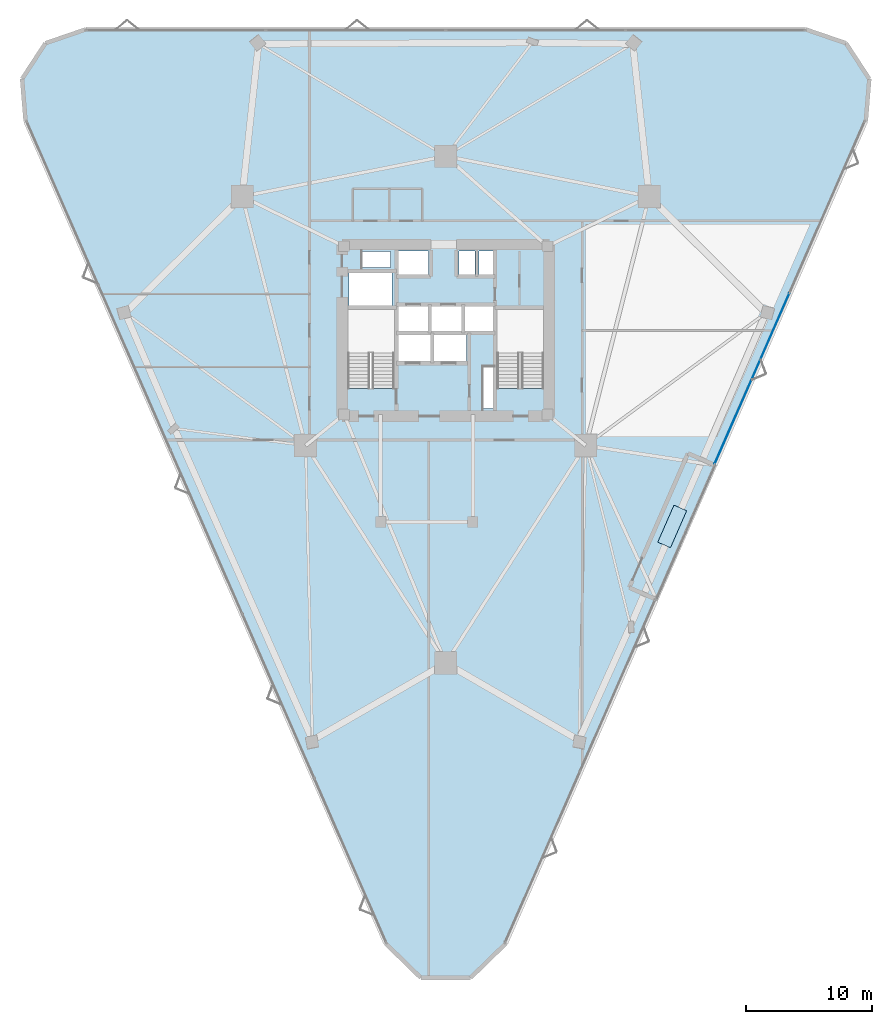
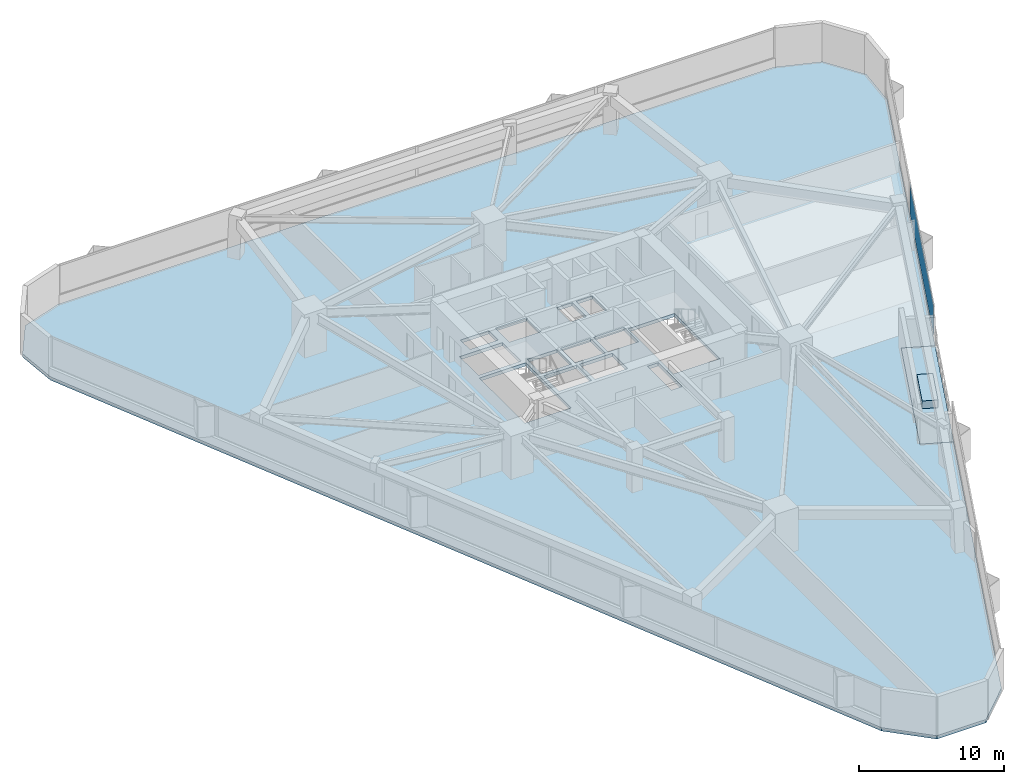
# One storey, part 10 of 16: 2 plates, 2 slabs, 1 element without a shape of its own.
"""IFC4 building model written with IfcOpenShell, lengths in metres."""

from ifc_helpers import new_model, si_unit, direction, frame, origin, origin_2d, place, context, subcontext, project, spatial, polyline, rectangle, outline, extrude, material, layer, layer_set, type_object, element, aggregate, save


model = new_model("IFC4")

# Units and contexts
model_context = context("Model", 3, precision=1e-05, world=origin(), true_north=direction((0.0, 1.0)))
body_context = subcontext(model_context, "Body", "Model", "MODEL_VIEW")
ifc_project = project(units=[si_unit("LENGTHUNIT", "METRE"), si_unit("AREAUNIT", "SQUARE_METRE"), si_unit("VOLUMEUNIT", "CUBIC_METRE"), si_unit("PLANEANGLEUNIT", "RADIAN"), si_unit("MASSUNIT", "GRAM", prefix="KILO")], contexts=[model_context])

# Site, building, storey
site_placement = place(None, origin())
site = spatial("IfcSite", under=ifc_project, at=site_placement, CompositionType="ELEMENT")
building_placement = place(site_placement, origin())
building = spatial("IfcBuilding", under=site, at=building_placement, Name="Talyreon Biosciences Tower", CompositionType="ELEMENT")
storey_placement = place(building_placement, frame((0.0, 0.0, 44.699951171875)))
storey = spatial("IfcBuildingStorey", under=building, at=storey_placement, Name="L11", CompositionType="ELEMENT", Elevation=44.699951171875)

# Curtain wall, plate
ifc_material_1 = material(Name="Thermally broken aluminium and low-E glazing", Category="aluminium")
ifc_layer_1 = layer(ifc_material_1, 0.205078125)
ifc_layer_set_1 = layer_set([ifc_layer_1], Name="Thermally broken aluminium and low-E glazing")
curtain_wall_type = type_object("IfcCurtainWallType", Name="CurtainWall_SkyGardenLoggia", PredefinedType="NOTDEFINED", material=ifc_layer_set_1)
curtain_wall_placement = place(storey_placement, origin())
curtain_wall = element("IfcCurtainWall", 1, at=curtain_wall_placement, inside=storey, type_object=curtain_wall_type, Name="L11 Unitised Curtain Wall FCW-L11-07", PredefinedType="NOTDEFINED")
ifc_material_2 = material(Name="Acoustic laminated low-E insulated glazing", Category="glass")
ifc_layer_2 = layer(ifc_material_2, 0.0380859375)
ifc_layer_set_2 = layer_set([ifc_layer_2], Name="Acoustic laminated low-E insulated glazing")
plate_type_1 = type_object("IfcPlateType", Name="CWGlazingPanel_38", PredefinedType="CURTAIN_PANEL", material=ifc_layer_set_2)
plate_1_placement = place(storey_placement, frame((90.242919921875, 64.17724609375, 0.875), z_axis=(0.0, 0.0, 1.0), x_axis=(-0.401098211105, -0.91603505667, 0.0)))
plate_1 = element("IfcPlate", 2, at=plate_1_placement, type_object=plate_type_1, Name="CW7 panel 2.1", PredefinedType="CURTAIN_PANEL", context=body_context, shape_type="SweptSolid", body=[
    extrude(rectangle(XDim=14.7392578125, YDim=0.0380859375, at=origin_2d()), origin(), (0.0, 0.0, 1.0), 2.43505859375),
])
aggregate(curtain_wall, [plate_1])

# Plate
ifc_material_3 = material(Name="Terracotta-faced precast planter Concrete C40/50", Category="masonry")
ifc_layer_3 = layer(ifc_material_3, 0.64990234375)
ifc_layer_set_3 = layer_set([ifc_layer_3], Name="Terracotta-faced precast planter Concrete C40/50")
plate_type_2 = type_object("IfcPlateType", Name="SkyGardenPlanter_PLANTER", PredefinedType="USERDEFINED", material=ifc_layer_set_3)
plate_2_placement = place(storey_placement, frame((83.927490234375, 52.48388671875, 0.0), z_axis=(0.0, 0.0, 1.0), x_axis=(0.401100594474, 0.916034013076, 0.0)))
element("IfcPlate", 3, at=plate_2_placement, inside=storey, type_object=plate_type_2, Name="L11 Sky-Garden Structural Planter", ObjectType="PLANTER", PredefinedType="USERDEFINED", context=body_context, shape_type="SweptSolid", body=[
    extrude(rectangle(XDim=3.199951171875, YDim=1.10009765625, at=origin_2d()), origin(), (0.0, 0.0, 1.0), 0.64990234375),
])

# Slabs
ifc_material_4 = material(Name="Concrete C40/50", Category="concrete")
ifc_layer_4 = layer(ifc_material_4, 0.330078125)
ifc_layer_set_4 = layer_set([ifc_layer_4], Name="Concrete C40/50")
slab_type_1 = type_object("IfcSlabType", Name="SkyGardenTerraceRoof_330", PredefinedType="ROOF", material=ifc_layer_set_4)
slab_1_placement = place(storey_placement, frame((0.0, 0.0, -0.329833984375)))
element("IfcSlab", 4, at=slab_1_placement, inside=storey, type_object=slab_type_1, Name="L11 Planted Sky-Garden Terrace Slab", PredefinedType="ROOF", context=body_context, shape_type="SweptSolid", body=[
    extrude(outline(polyline([(82.677490234375, 46.69970703125), (80.524658203125, 47.64208984375), (85.177490234375, 58.26806640625), (87.330078125, 57.32568359375), (82.677490234375, 46.69970703125)])), origin(), (0.0, 0.0, 1.0), 0.329833984375),
])
ifc_layer_5 = layer(ifc_material_4, 0.27490234375)
ifc_layer_set_5 = layer_set([ifc_layer_5], Name="Concrete C40/50")
slab_type_2 = type_object("IfcSlabType", Name="WetLabFloorSlab_275", PredefinedType="FLOOR", material=ifc_layer_set_5)
slab_2_placement = place(storey_placement, frame((0.0, 0.0, -0.27490234375)))
element("IfcSlab", 5, at=slab_2_placement, inside=storey, type_object=slab_type_2, Name="L11 Structural Floor Slab", PredefinedType="FLOOR", context=body_context, shape_type="SweptSolid", body=[
    extrude(outline(polyline([(32.755859375, 84.534912109375), (32.47900390625, 87.8994140625), (34.326171875, 90.724853515625), (37.519287109375, 91.82080078125), (94.480712890625, 91.82080078125), (97.673828125, 90.724853515625), (99.52099609375, 87.8994140625), (99.244140625, 84.534912109375), (87.330078125, 57.32568359375), (85.177490234375, 58.26806640625), (80.524658203125, 47.64208984375), (82.677490234375, 46.69970703125), (70.763427734375, 19.489990234375), (67.9580078125, 16.75830078125), (64.0419921875, 16.75830078125), (61.236572265625, 19.489990234375), (32.755859375, 84.534912109375)]), holes=[polyline([(61.929931640625, 69.64990234375), (61.929931640625, 63.407958984375), (58.25, 63.407958984375), (58.25, 69.64990234375), (61.929931640625, 69.64990234375)]), polyline([(64.800048828125, 65.550048828125), (62.199951171875, 65.550048828125), (62.199951171875, 67.64990234375), (64.800048828125, 67.64990234375), (64.800048828125, 65.550048828125)]), polyline([(64.60009765625, 67.949951171875), (62.199951171875, 67.949951171875), (62.199951171875, 69.949951171875), (64.60009765625, 69.949951171875), (64.60009765625, 67.949951171875)]), polyline([(67.25, 69.949951171875), (67.25, 67.949951171875), (64.85009765625, 67.949951171875), (64.85009765625, 69.949951171875), (67.25, 69.949951171875)]), polyline([(61.75, 69.97998046875), (58.35009765625, 69.97998046875), (58.35009765625, 72.550048828125), (61.75, 72.550048828125), (61.75, 69.97998046875)]), polyline([(64.64990234375, 72.35009765625), (62.199951171875, 72.35009765625), (62.199951171875, 74.300048828125), (64.64990234375, 74.300048828125), (64.64990234375, 72.35009765625)]), polyline([(61.64990234375, 74.25), (61.64990234375, 72.9599609375), (59.39990234375, 72.9599609375), (59.39990234375, 74.25), (61.64990234375, 74.25)]), polyline([(69.820068359375, 61.800048828125), (68.9599609375, 61.800048828125), (68.9599609375, 65.10009765625), (69.820068359375, 65.10009765625), (69.820068359375, 61.800048828125)]), polyline([(73.75, 63.407958984375), (70.070068359375, 63.407958984375), (70.070068359375, 69.64990234375), (73.75, 69.64990234375), (73.75, 63.407958984375)]), polyline([(67.64990234375, 65.550048828125), (65.050048828125, 65.550048828125), (65.050048828125, 67.64990234375), (67.64990234375, 67.64990234375), (67.64990234375, 65.550048828125)]), polyline([(69.89990234375, 67.949951171875), (67.5, 67.949951171875), (67.5, 69.949951171875), (69.89990234375, 69.949951171875), (69.89990234375, 67.949951171875)]), polyline([(68.300048828125, 72.35009765625), (67.050048828125, 72.35009765625), (67.050048828125, 74.300048828125), (68.300048828125, 74.300048828125), (68.300048828125, 72.35009765625)]), polyline([(69.919921875, 72.35009765625), (68.6201171875, 72.35009765625), (68.6201171875, 74.300048828125), (69.919921875, 74.300048828125), (69.919921875, 72.35009765625)])]), origin(), (0.0, 0.0, 1.0), 0.27490234375),
])

save(model, "model.ifc")
